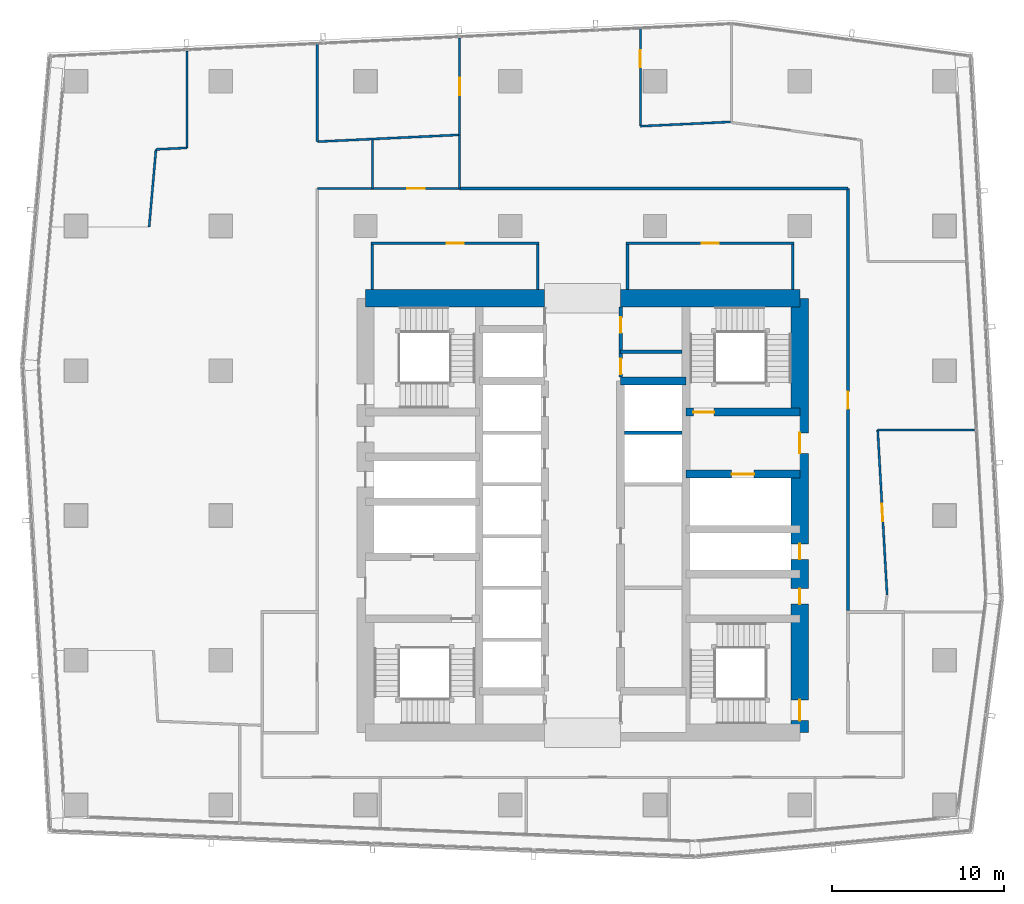
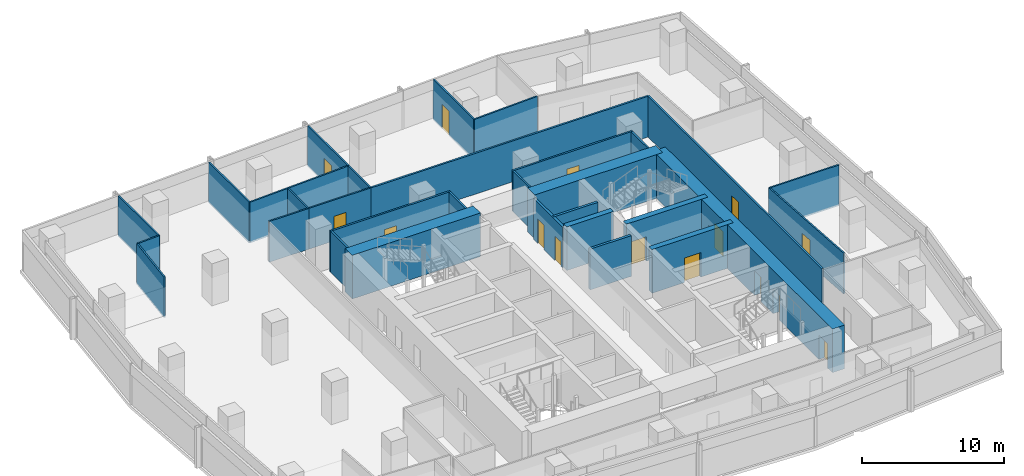
# One storey, part 29 of 40: 31 walls, 15 doors, 15 openings.
"""IFC4 building model written with IfcOpenShell, lengths in metres."""

from ifc_helpers import new_model, si_unit, direction, frame, frame_2d, origin, place, context, subcontext, project, spatial, rectangle, extrude, material, layer, layer_set, type_object, element, fill, save


model = new_model("IFC4")

# Units and contexts
model_context = context("Model", 3, precision=1e-05, world=origin(), true_north=direction((0.0, 1.0)))
body_context = subcontext(model_context, "Body", "Model", "MODEL_VIEW")
ifc_project = project(units=[si_unit("LENGTHUNIT", "METRE"), si_unit("AREAUNIT", "SQUARE_METRE"), si_unit("VOLUMEUNIT", "CUBIC_METRE"), si_unit("PLANEANGLEUNIT", "RADIAN"), si_unit("MASSUNIT", "GRAM", prefix="KILO")], contexts=[model_context])

# Site, building, storey
site_placement = place(None, origin())
site = spatial("IfcSite", under=ifc_project, at=site_placement, CompositionType="ELEMENT")
building_placement = place(site_placement, origin())
building = spatial("IfcBuilding", under=site, at=building_placement, Name="Rekha Terrace Tower", CompositionType="ELEMENT")
storey_placement = place(building_placement, frame((0.0, 0.0, 210.199951171875)))
storey = spatial("IfcBuildingStorey", under=building, at=storey_placement, Name="L53", CompositionType="ELEMENT", Elevation=210.199951171875)

# Wall
ifc_material_1 = material(Name="Concrete M60", Category="concrete")
ifc_layer_1 = layer(ifc_material_1, 0.449951171875)
ifc_layer_set_1 = layer_set([ifc_layer_1], Name="Concrete M60")
wall_type_1 = type_object("IfcWallType", Name="CI3 450 core internal shear wall", PredefinedType="SHEAR", material=ifc_layer_set_1)
wall_1_placement = place(storey_placement, frame((40.0, 41.39990234375, 0.0), z_axis=(0.0, 0.0, 1.0), x_axis=(1.0, 0.0, 0.0)))
element("IfcWall", 1, at=wall_1_placement, inside=storey, type_object=wall_type_1, Name="Core wall Y414E L53", PredefinedType="SHEAR", context=body_context, shape_type="SweptSolid", body=[
    extrude(rectangle(XDim=3.800048828125, YDim=0.449951171875, at=frame_2d((1.89990234375, 0.0))), origin(), (0.0, 0.0, 1.0), 3.75),
])

# Wall, opening, door
wall_2_placement = place(storey_placement, frame((43.800048828125, 36.0, 0.0), z_axis=(0.0, 0.0, 1.0), x_axis=(1.0, 0.0, 0.0)))
wall_2 = element("IfcWall", 2, at=wall_2_placement, inside=storey, type_object=wall_type_1, Name="Core wall Y360E L53", PredefinedType="SHEAR", context=body_context, shape_type="SweptSolid", body=[
    extrude(rectangle(XDim=6.599853515625, YDim=0.449951171875, at=frame_2d((3.2998046875, 0.0))), origin(), (0.0, 0.0, 1.0), 3.75),
])
opening_1_placement = place(wall_2_placement, frame((2.64990234375, 0.0, 0.0)))
opening_1 = element("IfcOpeningElement", 3, at=opening_1_placement, cuts=wall_2, Name="Opening LD2", PredefinedType="OPENING", context=body_context, shape_type="SweptSolid", body=[
    extrude(rectangle(XDim=1.300048828125, YDim=2.10009765625, at=frame_2d((0.64990234375, 1.050048828125))), frame((0.0, 0.23486328125, 0.0), z_axis=(0.0, -1.0, 0.0), x_axis=(1.0, 0.0, 0.0)), (0.0, 0.0, 1.0), 0.469970703125),
])
ifc_material_2 = material(Name="Stainless steel sliding landing door", Category="steel")
door_type_1 = type_object("IfcDoorType", Name="LD2 1300x2100 fire lift landing door", OperationType="SLIDING_TO_LEFT", PredefinedType="USERDEFINED", material=ifc_material_2)
door_1_placement = place(opening_1_placement, origin())
door_1 = element("IfcDoor", 4, at=door_1_placement, inside=storey, type_object=door_type_1, Name="Lift FL2 landing door L53", ObjectType="LIFT LANDING DOOR", OperationType="SLIDING_TO_LEFT", OverallHeight=2.10009765625, OverallWidth=1.300048828125, PredefinedType="USERDEFINED", context=body_context, shape_type="SweptSolid", body=[
    extrude(rectangle(XDim=1.300048828125, YDim=2.10009765625, at=frame_2d((0.64990234375, 1.050048828125))), frame((0.0, 0.02490234375, 0.0), z_axis=(0.0, -1.0, 0.0), x_axis=(1.0, 0.0, 0.0)), (0.0, 0.0, 1.0), 0.050048828125),
])
fill(opening_1, door_1)

wall_3_placement = place(storey_placement, frame((43.800048828125, 39.60009765625, 0.0), z_axis=(0.0, 0.0, 1.0), x_axis=(1.0, 0.0, 0.0)))
wall_3 = element("IfcWall", 5, at=wall_3_placement, inside=storey, type_object=wall_type_1, Name="Core wall Y396E L53", PredefinedType="SHEAR", context=body_context, shape_type="SweptSolid", body=[
    extrude(rectangle(XDim=6.599853515625, YDim=0.449951171875, at=frame_2d((3.2998046875, 0.0))), origin(), (0.0, 0.0, 1.0), 3.75),
])
opening_2_placement = place(wall_3_placement, frame((0.425048828125, 0.0, 0.0)))
opening_2 = element("IfcOpeningElement", 6, at=opening_2_placement, cuts=wall_3, Name="Opening D1", PredefinedType="OPENING", context=body_context, shape_type="SweptSolid", body=[
    extrude(rectangle(XDim=1.199951171875, YDim=2.10009765625, at=frame_2d((0.60009765625, 1.050048828125))), frame((0.0, 0.23486328125, 0.0), z_axis=(0.0, -1.0, 0.0), x_axis=(1.0, 0.0, 0.0)), (0.0, 0.0, 1.0), 0.469970703125),
])
ifc_material_3 = material(Name="Steel fire door", Category="steel")
door_type_2 = type_object("IfcDoorType", Name="D1 1200x2100 stair fire door", OperationType="SINGLE_SWING_RIGHT", PredefinedType="DOOR", material=ifc_material_3)
door_2_placement = place(opening_2_placement, origin())
door_2 = element("IfcDoor", 7, at=door_2_placement, inside=storey, type_object=door_type_2, Name="Stair ST2 door L53", OperationType="SINGLE_SWING_RIGHT", OverallHeight=2.10009765625, OverallWidth=1.199951171875, PredefinedType="DOOR", context=body_context, shape_type="SweptSolid", body=[
    extrude(rectangle(XDim=1.199951171875, YDim=2.10009765625, at=frame_2d((0.60009765625, 1.050048828125))), frame((0.0, 0.02490234375, 0.0), z_axis=(0.0, -1.0, 0.0), x_axis=(1.0, 0.0, 0.0)), (0.0, 0.0, 1.0), 0.050048828125),
])
fill(opening_2, door_2)

# Walls
ifc_layer_2 = layer(ifc_material_1, 1.0)
ifc_layer_set_2 = layer_set([ifc_layer_2], Name="Concrete M60")
wall_type_2 = type_object("IfcWallType", Name="SW3 1000 core outer shear wall", PredefinedType="SHEAR", material=ifc_layer_set_2)
wall_4_placement = place(storey_placement, frame((25.199951171875, 46.199951171875, 0.0), z_axis=(0.0, 0.0, 1.0), x_axis=(1.0, 0.0, 0.0)))
element("IfcWall", 8, at=wall_4_placement, inside=storey, type_object=wall_type_2, Name="Core wall N1 L53", PredefinedType="SHEAR", context=body_context, shape_type="SweptSolid", body=[
    extrude(rectangle(XDim=10.400146484375, YDim=1.0, at=frame_2d((5.2001953125, 0.0))), origin(), (0.0, 0.0, 1.0), 3.75),
])
wall_5_placement = place(storey_placement, frame((40.0, 46.199951171875, 0.0), z_axis=(0.0, 0.0, 1.0), x_axis=(1.0, 0.0, 0.0)))
element("IfcWall", 9, at=wall_5_placement, inside=storey, type_object=wall_type_2, Name="Core wall N2 L53", PredefinedType="SHEAR", context=body_context, shape_type="SweptSolid", body=[
    extrude(rectangle(XDim=10.39990234375, YDim=1.0, at=frame_2d((5.199951171875, 0.0))), origin(), (0.0, 0.0, 1.0), 3.75),
])

# Wall, openings, doors
wall_6_placement = place(storey_placement, frame((50.39990234375, 21.0, 0.0), z_axis=(0.0, 0.0, 1.0), x_axis=(0.0, 1.0, 0.0)))
wall_6 = element("IfcWall", 10, at=wall_6_placement, inside=storey, type_object=wall_type_2, Name="Core wall E L53", PredefinedType="SHEAR", context=body_context, shape_type="SweptSolid", body=[
    extrude(rectangle(XDim=25.199951171875, YDim=1.0, at=frame_2d((12.60009765625, 0.0))), origin(), (0.0, 0.0, 1.0), 3.75),
])
opening_3_placement = place(wall_6_placement, frame((16.199951171875, 0.0, 0.0)))
opening_3 = element("IfcOpeningElement", 11, at=opening_3_placement, cuts=wall_6, Name="Opening D2", PredefinedType="OPENING", context=body_context, shape_type="SweptSolid", body=[
    extrude(rectangle(XDim=1.199951171875, YDim=2.10009765625, at=frame_2d((0.60009765625, 1.050048828125))), frame((0.0, 0.510009765625, 0.0), z_axis=(0.0, -1.0, 0.0), x_axis=(1.0, 0.0, 0.0)), (0.0, 0.0, 1.0), 1.02001953125),
])
opening_4_placement = place(wall_6_placement, frame((10.050048828125, 0.0, 0.0)))
opening_4 = element("IfcOpeningElement", 12, at=opening_4_placement, cuts=wall_6, Name="Opening D5", PredefinedType="OPENING", context=body_context, shape_type="SweptSolid", body=[
    extrude(rectangle(XDim=0.89990234375, YDim=2.10009765625, at=frame_2d((0.449951171875, 1.050048828125))), frame((0.0, 0.510009765625, 0.0), z_axis=(0.0, -1.0, 0.0), x_axis=(1.0, 0.0, 0.0)), (0.0, 0.0, 1.0), 1.02001953125),
])
opening_5_placement = place(wall_6_placement, frame((7.449951171875, 0.0, 0.0)))
opening_5 = element("IfcOpeningElement", 13, at=opening_5_placement, cuts=wall_6, Name="Opening D5", PredefinedType="OPENING", context=body_context, shape_type="SweptSolid", body=[
    extrude(rectangle(XDim=0.89990234375, YDim=2.10009765625, at=frame_2d((0.449951171875, 1.050048828125))), frame((0.0, 0.510009765625, 0.0), z_axis=(0.0, -1.0, 0.0), x_axis=(1.0, 0.0, 0.0)), (0.0, 0.0, 1.0), 1.02001953125),
])
opening_6_placement = place(wall_6_placement, frame((0.699951171875, 0.0, 0.0)))
opening_6 = element("IfcOpeningElement", 14, at=opening_6_placement, cuts=wall_6, Name="Opening D1", PredefinedType="OPENING", context=body_context, shape_type="SweptSolid", body=[
    extrude(rectangle(XDim=1.199951171875, YDim=2.10009765625, at=frame_2d((0.60009765625, 1.050048828125))), frame((0.0, 0.510009765625, 0.0), z_axis=(0.0, -1.0, 0.0), x_axis=(1.0, 0.0, 0.0)), (0.0, 0.0, 1.0), 1.02001953125),
])
door_3_placement = place(opening_6_placement, origin())
door_3 = element("IfcDoor", 15, at=door_3_placement, inside=storey, type_object=door_type_2, Name="Stair ST3 door L53", OperationType="SINGLE_SWING_RIGHT", OverallHeight=2.10009765625, OverallWidth=1.199951171875, PredefinedType="DOOR", context=body_context, shape_type="SweptSolid", body=[
    extrude(rectangle(XDim=1.199951171875, YDim=2.10009765625, at=frame_2d((0.60009765625, 1.050048828125))), frame((0.0, 0.02490234375, 0.0), z_axis=(0.0, -1.0, 0.0), x_axis=(1.0, 0.0, 0.0)), (0.0, 0.0, 1.0), 0.050048828125),
])
fill(opening_6, door_3)
door_type_3 = type_object("IfcDoorType", Name="D2 1200x2100 firefighting lobby door", OperationType="SINGLE_SWING_LEFT", PredefinedType="DOOR", material=ifc_material_3)
door_4_placement = place(opening_3_placement, origin())
door_4 = element("IfcDoor", 16, at=door_4_placement, inside=storey, type_object=door_type_3, Name="Door flb2 L53", OperationType="SINGLE_SWING_LEFT", OverallHeight=2.10009765625, OverallWidth=1.199951171875, PredefinedType="DOOR", context=body_context, shape_type="SweptSolid", body=[
    extrude(rectangle(XDim=1.199951171875, YDim=2.10009765625, at=frame_2d((0.60009765625, 1.050048828125))), frame((0.0, 0.02490234375, 0.0), z_axis=(0.0, -1.0, 0.0), x_axis=(1.0, 0.0, 0.0)), (0.0, 0.0, 1.0), 0.050048828125),
])
fill(opening_3, door_4)
door_type_4 = type_object("IfcDoorType", Name="D5 900x2100 riser access door", OperationType="SINGLE_SWING_LEFT", PredefinedType="DOOR", material=ifc_material_3)
door_5_placement = place(opening_4_placement, origin())
door_5 = element("IfcDoor", 17, at=door_5_placement, inside=storey, type_object=door_type_4, Name="Door rs2 L53", OperationType="SINGLE_SWING_LEFT", OverallHeight=2.10009765625, OverallWidth=0.89990234375, PredefinedType="DOOR", context=body_context, shape_type="SweptSolid", body=[
    extrude(rectangle(XDim=0.89990234375, YDim=2.10009765625, at=frame_2d((0.449951171875, 1.050048828125))), frame((0.0, 0.02490234375, 0.0), z_axis=(0.0, -1.0, 0.0), x_axis=(1.0, 0.0, 0.0)), (0.0, 0.0, 1.0), 0.050048828125),
])
fill(opening_4, door_5)
door_6_placement = place(opening_5_placement, origin())
door_6 = element("IfcDoor", 18, at=door_6_placement, inside=storey, type_object=door_type_4, Name="Door ele L53", OperationType="SINGLE_SWING_LEFT", OverallHeight=2.10009765625, OverallWidth=0.89990234375, PredefinedType="DOOR", context=body_context, shape_type="SweptSolid", body=[
    extrude(rectangle(XDim=0.89990234375, YDim=2.10009765625, at=frame_2d((0.449951171875, 1.050048828125))), frame((0.0, 0.02490234375, 0.0), z_axis=(0.0, -1.0, 0.0), x_axis=(1.0, 0.0, 0.0)), (0.0, 0.0, 1.0), 0.050048828125),
])
fill(opening_5, door_6)

# Wall, opening, door
ifc_material_4 = material(Name="Concrete block masonry, 1 hour", Category="masonry")
ifc_layer_3 = layer(ifc_material_4, 0.14990234375)
ifc_layer_set_3 = layer_set([ifc_layer_3], Name="Concrete block masonry, 1 hour")
wall_type_3 = type_object("IfcWallType", Name="WP2 150 tenancy partition", PredefinedType="PARTITIONING", material=ifc_layer_set_3)
wall_7_placement = place(storey_placement, frame((40.324951171875, 49.39990234375, 0.0), z_axis=(0.0, 0.0, 1.0), x_axis=(1.0, 0.0, 0.0)))
wall_7 = element("IfcWall", 19, at=wall_7_placement, inside=storey, type_object=wall_type_3, Name="Women's WC wall L53", PredefinedType="PARTITIONING", context=body_context, shape_type="SweptSolid", body=[
    extrude(rectangle(XDim=9.75, YDim=0.14990234375, at=frame_2d((4.875, 0.0))), origin(), (0.0, 0.0, 1.0), 3.5),
])
opening_7_placement = place(wall_7_placement, frame((4.375, 0.0, 0.0)))
opening_7 = element("IfcOpeningElement", 20, at=opening_7_placement, cuts=wall_7, Name="Opening D3", PredefinedType="OPENING", context=body_context, shape_type="SweptSolid", body=[
    extrude(rectangle(XDim=1.0, YDim=2.10009765625, at=frame_2d((0.5, 1.050048828125))), frame((0.0, 0.0849609375, 0.0), z_axis=(0.0, -1.0, 0.0), x_axis=(1.0, 0.0, 0.0)), (0.0, 0.0, 1.0), 0.169921875),
])
ifc_material_5 = material(Name="Laminated timber fire door", Category="wood")
door_type_5 = type_object("IfcDoorType", Name="D3 1000x2100 WC door", OperationType="SINGLE_SWING_LEFT", PredefinedType="DOOR", material=ifc_material_5)
door_7_placement = place(opening_7_placement, origin())
door_7 = element("IfcDoor", 21, at=door_7_placement, inside=storey, type_object=door_type_5, Name="Door women's wc L53", OperationType="SINGLE_SWING_LEFT", OverallHeight=2.10009765625, OverallWidth=1.0, PredefinedType="DOOR", context=body_context, shape_type="SweptSolid", body=[
    extrude(rectangle(XDim=1.0, YDim=2.10009765625, at=frame_2d((0.5, 1.050048828125))), frame((0.0, 0.02490234375, 0.0), z_axis=(0.0, -1.0, 0.0), x_axis=(1.0, 0.0, 0.0)), (0.0, 0.0, 1.0), 0.050048828125),
])
fill(opening_7, door_7)

# Walls
for number, where, z_axis, x_axis, name in (
    (22, (40.39990234375, 46.699951171875, 0.0), (0.0, 0.0, 1.0), (0.0, 1.0, 0.0), "Women's WC wall L53"),
    (23, (50.0, 46.699951171875, 0.0), (0.0, 0.0, 1.0), (0.0, 1.0, 0.0), "Women's WC wall L53"),
):
    element("IfcWall", number, at=place(storey_placement, frame(where, z_axis=z_axis, x_axis=x_axis)), inside=storey, type_object=wall_type_3, Name=name, PredefinedType="PARTITIONING", context=body_context, shape_type="SweptSolid", body=[
        extrude(rectangle(XDim=2.625, YDim=0.14990234375, at=frame_2d((1.3125, 0.0))), origin(), (0.0, 0.0, 1.0), 3.5),
    ])

# Wall, opening, door
wall_8_placement = place(storey_placement, frame((25.52490234375, 49.39990234375, 0.0), z_axis=(0.0, 0.0, 1.0), x_axis=(1.0, 0.0, 0.0)))
wall_8 = element("IfcWall", 24, at=wall_8_placement, inside=storey, type_object=wall_type_3, Name="Women's WC wall L53", PredefinedType="PARTITIONING", context=body_context, shape_type="SweptSolid", body=[
    extrude(rectangle(XDim=9.75, YDim=0.14990234375, at=frame_2d((4.875, 0.0))), origin(), (0.0, 0.0, 1.0), 3.5),
])
opening_8_placement = place(wall_8_placement, frame((4.375, 0.0, 0.0)))
opening_8 = element("IfcOpeningElement", 25, at=opening_8_placement, cuts=wall_8, Name="Opening D3", PredefinedType="OPENING", context=body_context, shape_type="SweptSolid", body=[
    extrude(rectangle(XDim=1.0, YDim=2.10009765625, at=frame_2d((0.5, 1.050048828125))), frame((0.0, 0.0849609375, 0.0), z_axis=(0.0, -1.0, 0.0), x_axis=(1.0, 0.0, 0.0)), (0.0, 0.0, 1.0), 0.169921875),
])
door_8_placement = place(opening_8_placement, origin())
door_8 = element("IfcDoor", 26, at=door_8_placement, inside=storey, type_object=door_type_5, Name="Door women's wc L53", OperationType="SINGLE_SWING_LEFT", OverallHeight=2.10009765625, OverallWidth=1.0, PredefinedType="DOOR", context=body_context, shape_type="SweptSolid", body=[
    extrude(rectangle(XDim=1.0, YDim=2.10009765625, at=frame_2d((0.5, 1.050048828125))), frame((0.0, 0.02490234375, 0.0), z_axis=(0.0, -1.0, 0.0), x_axis=(1.0, 0.0, 0.0)), (0.0, 0.0, 1.0), 0.050048828125),
])
fill(opening_8, door_8)

# Walls
for number, where, z_axis, x_axis, name in (
    (27, (25.60009765625, 46.699951171875, 0.0), (0.0, 0.0, 1.0), (0.0, 1.0, 0.0), "Women's WC wall L53"),
    (28, (35.199951171875, 46.699951171875, 0.0), (0.0, 0.0, 1.0), (0.0, 1.0, 0.0), "Women's WC wall L53"),
):
    element("IfcWall", number, at=place(storey_placement, frame(where, z_axis=z_axis, x_axis=x_axis)), inside=storey, type_object=wall_type_3, Name=name, PredefinedType="PARTITIONING", context=body_context, shape_type="SweptSolid", body=[
        extrude(rectangle(XDim=2.625, YDim=0.14990234375, at=frame_2d((1.3125, 0.0))), origin(), (0.0, 0.0, 1.0), 3.5),
    ])

# Wall, opening, door
wall_9_placement = place(storey_placement, frame((53.199951171875, 28.074951171875, 0.0), z_axis=(0.0, 0.0, 1.0), x_axis=(0.0, 1.0, 0.0)))
wall_9 = element("IfcWall", 29, at=wall_9_placement, inside=storey, type_object=wall_type_3, Name="Partition L53-O1", PredefinedType="PARTITIONING", context=body_context, shape_type="SweptSolid", body=[
    extrude(rectangle(XDim=24.5, YDim=0.14990234375, at=frame_2d((12.25, 0.0))), origin(), (0.0, 0.0, 1.0), 3.5),
])
opening_9_placement = place(wall_9_placement, frame((11.712890625, 0.0, 0.0)))
opening_9 = element("IfcOpeningElement", 30, at=opening_9_placement, cuts=wall_9, Name="Opening D9", PredefinedType="OPENING", context=body_context, shape_type="SweptSolid", body=[
    extrude(rectangle(XDim=1.0, YDim=2.10009765625, at=frame_2d((0.5, 1.050048828125))), frame((0.0, 0.0849609375, 0.0), z_axis=(0.0, -1.0, 0.0), x_axis=(1.0, 0.0, 0.0)), (0.0, 0.0, 1.0), 0.169921875),
])
ifc_material_6 = material(Name="Timber fire door", Category="wood")
door_type_6 = type_object("IfcDoorType", Name="D9 1000x2100 office door", OperationType="SINGLE_SWING_LEFT", PredefinedType="DOOR", material=ifc_material_6)
door_9_placement = place(opening_9_placement, origin())
door_9 = element("IfcDoor", 31, at=door_9_placement, inside=storey, type_object=door_type_6, Name="Door open-plan office L53", OperationType="SINGLE_SWING_LEFT", OverallHeight=2.10009765625, OverallWidth=1.0, PredefinedType="DOOR", context=body_context, shape_type="SweptSolid", body=[
    extrude(rectangle(XDim=1.0, YDim=2.10009765625, at=frame_2d((0.5, 1.050048828125))), frame((0.0, 0.02490234375, 0.0), z_axis=(0.0, -1.0, 0.0), x_axis=(1.0, 0.0, 0.0)), (0.0, 0.0, 1.0), 0.050048828125),
])
fill(opening_9, door_9)

# Wall
wall_10_placement = place(storey_placement, frame((53.199951171875, 52.574951171875, 0.0), z_axis=(0.0, 0.0, 1.0), x_axis=(-1.0, 0.0, 0.0)))
element("IfcWall", 32, at=wall_10_placement, inside=storey, type_object=wall_type_3, Name="Partition L53-O1", PredefinedType="PARTITIONING", context=body_context, shape_type="SweptSolid", body=[
    extrude(rectangle(XDim=22.5390625, YDim=0.14990234375, at=frame_2d((11.26953125, 0.0))), origin(), (0.0, 0.0, 1.0), 3.5),
])

# Wall, opening, door
ifc_material_7 = material(Name="Two layers of fire-rated gypsum board each side on steel studs, acoustic quilt, 1 hour", Category="steel")
ifc_layer_4 = layer(ifc_material_7, 0.125)
ifc_layer_set_4 = layer_set([ifc_layer_4], Name="Two layers of fire-rated gypsum board each side on steel studs, acoustic quilt, 1 hour")
wall_type_4 = type_object("IfcWallType", Name="WP3 125 office partition", PredefinedType="PARTITIONING", material=ifc_layer_set_4)
wall_11_placement = place(storey_placement, frame((55.465087890625, 28.9951171875, 0.0), z_axis=(0.0, 0.0, 1.0), x_axis=(-0.056705607074, 0.99839094253, 0.0)))
wall_11 = element("IfcWall", 33, at=wall_11_placement, inside=storey, type_object=wall_type_4, Name="Partition L53-05", PredefinedType="PARTITIONING", context=body_context, shape_type="SweptSolid", body=[
    extrude(rectangle(XDim=9.5751953125, YDim=0.125, at=frame_2d((4.78759765625, 0.0))), origin(), (0.0, 0.0, 1.0), 3.5),
])
opening_10_placement = place(wall_11_placement, frame((4.2880859375, 0.0, 0.0)))
opening_10 = element("IfcOpeningElement", 34, at=opening_10_placement, cuts=wall_11, Name="Opening D9", PredefinedType="OPENING", context=body_context, shape_type="SweptSolid", body=[
    extrude(rectangle(XDim=1.0, YDim=2.10009765625, at=frame_2d((0.5, 1.050048828125))), frame((0.0, 0.072509765625, 0.0), z_axis=(0.0, -1.0, 0.0), x_axis=(1.0, 0.0, 0.0)), (0.0, 0.0, 1.0), 0.14501953125),
])
door_10_placement = place(opening_10_placement, origin())
door_10 = element("IfcDoor", 35, at=door_10_placement, inside=storey, type_object=door_type_6, Name="Door office L53", OperationType="SINGLE_SWING_LEFT", OverallHeight=2.10009765625, OverallWidth=1.0, PredefinedType="DOOR", context=body_context, shape_type="SweptSolid", body=[
    extrude(rectangle(XDim=1.0, YDim=2.10009765625, at=frame_2d((0.5, 1.050048828125))), frame((0.0, 0.02490234375, 0.0), z_axis=(0.0, -1.0, 0.0), x_axis=(1.0, 0.0, 0.0)), (0.0, 0.0, 1.0), 0.050048828125),
])
fill(opening_10, door_10)

# Wall
wall_12_placement = place(storey_placement, frame((54.922119140625, 38.554931640625, 0.0), z_axis=(0.0, 0.0, 1.0), x_axis=(1.0, 0.0, 0.0)))
element("IfcWall", 36, at=wall_12_placement, inside=storey, type_object=wall_type_4, Name="Partition L53-05", PredefinedType="PARTITIONING", context=body_context, shape_type="SweptSolid", body=[
    extrude(rectangle(XDim=5.62890625, YDim=0.125, at=frame_2d((2.814453125, 0.0))), origin(), (0.0, 0.0, 1.0), 3.5),
])

# Wall, opening, door
wall_13_placement = place(storey_placement, frame((41.152099609375, 56.18798828125, 0.0), z_axis=(0.0, 0.0, 1.0), x_axis=(0.0, 1.0, 0.0)))
wall_13 = element("IfcWall", 37, at=wall_13_placement, inside=storey, type_object=wall_type_4, Name="Partition L53-07", PredefinedType="PARTITIONING", context=body_context, shape_type="SweptSolid", body=[
    extrude(rectangle(XDim=5.656982421875, YDim=0.125, at=frame_2d((2.82861328125, 0.0))), origin(), (0.0, 0.0, 1.0), 3.5),
])
opening_11_placement = place(wall_13_placement, frame((3.4130859375, 0.0, 0.0)))
opening_11 = element("IfcOpeningElement", 38, at=opening_11_placement, cuts=wall_13, Name="Opening D9", PredefinedType="OPENING", context=body_context, shape_type="SweptSolid", body=[
    extrude(rectangle(XDim=1.0, YDim=2.10009765625, at=frame_2d((0.5, 1.050048828125))), frame((0.0, 0.072509765625, 0.0), z_axis=(0.0, -1.0, 0.0), x_axis=(1.0, 0.0, 0.0)), (0.0, 0.0, 1.0), 0.14501953125),
])
door_11_placement = place(opening_11_placement, origin())
door_11 = element("IfcDoor", 39, at=door_11_placement, inside=storey, type_object=door_type_6, Name="Door office L53", OperationType="SINGLE_SWING_LEFT", OverallHeight=2.10009765625, OverallWidth=1.0, PredefinedType="DOOR", context=body_context, shape_type="SweptSolid", body=[
    extrude(rectangle(XDim=1.0, YDim=2.10009765625, at=frame_2d((0.5, 1.050048828125))), frame((0.0, 0.02490234375, 0.0), z_axis=(0.0, -1.0, 0.0), x_axis=(1.0, 0.0, 0.0)), (0.0, 0.0, 1.0), 0.050048828125),
])
fill(opening_11, door_11)

# Wall
wall_14_placement = place(storey_placement, frame((46.383056640625, 56.43798828125, 0.0), z_axis=(0.0, 0.0, 1.0), x_axis=(-0.998859895891, -0.047737913441, 0.0)))
element("IfcWall", 40, at=wall_14_placement, inside=storey, type_object=wall_type_4, Name="Partition L53-07", PredefinedType="PARTITIONING", context=body_context, shape_type="SweptSolid", body=[
    extrude(rectangle(XDim=5.23681640625, YDim=0.125, at=frame_2d((2.618408203125, 0.0))), origin(), (0.0, 0.0, 1.0), 3.5),
])

# Wall, opening, door
wall_15_placement = place(storey_placement, frame((30.660888671875, 61.31298828125, 0.0), z_axis=(0.0, 0.0, 1.0), x_axis=(0.0, -1.0, 0.0)))
wall_15 = element("IfcWall", 41, at=wall_15_placement, inside=storey, type_object=wall_type_4, Name="Partition L53-08", PredefinedType="PARTITIONING", context=body_context, shape_type="SweptSolid", body=[
    extrude(rectangle(XDim=5.626953125, YDim=0.125, at=frame_2d((2.8134765625, 0.0))), origin(), (0.0, 0.0, 1.0), 3.5),
])
opening_12_placement = place(wall_15_placement, frame((2.31396484375, 0.0, 0.0)))
opening_12 = element("IfcOpeningElement", 42, at=opening_12_placement, cuts=wall_15, Name="Opening D9", PredefinedType="OPENING", context=body_context, shape_type="SweptSolid", body=[
    extrude(rectangle(XDim=1.0, YDim=2.10009765625, at=frame_2d((0.5, 1.050048828125))), frame((0.0, 0.072509765625, 0.0), z_axis=(0.0, -1.0, 0.0), x_axis=(1.0, 0.0, 0.0)), (0.0, 0.0, 1.0), 0.14501953125),
])
door_12_placement = place(opening_12_placement, origin())
door_12 = element("IfcDoor", 43, at=door_12_placement, inside=storey, type_object=door_type_6, Name="Door office L53", OperationType="SINGLE_SWING_LEFT", OverallHeight=2.10009765625, OverallWidth=1.0, PredefinedType="DOOR", context=body_context, shape_type="SweptSolid", body=[
    extrude(rectangle(XDim=1.0, YDim=2.10009765625, at=frame_2d((0.5, 1.050048828125))), frame((0.0, 0.02490234375, 0.0), z_axis=(0.0, -1.0, 0.0), x_axis=(1.0, 0.0, 0.0)), (0.0, 0.0, 1.0), 0.050048828125),
])
fill(opening_12, door_12)

# Walls
wall_16_placement = place(storey_placement, frame((30.660888671875, 55.68603515625, 0.0), z_axis=(0.0, 0.0, 1.0), x_axis=(-0.998858431805, -0.047768537897, 0.0)))
element("IfcWall", 44, at=wall_16_placement, inside=storey, type_object=wall_type_4, Name="Partition L53-08", PredefinedType="PARTITIONING", context=body_context, shape_type="SweptSolid", body=[
    extrude(rectangle(XDim=8.26953125, YDim=0.125, at=frame_2d((4.134765625, 0.0))), origin(), (0.0, 0.0, 1.0), 3.5),
])
wall_17_placement = place(storey_placement, frame((22.40087890625, 55.291015625, 0.0), z_axis=(0.0, 0.0, 1.0), x_axis=(0.0, 1.0, 0.0)))
element("IfcWall", 45, at=wall_17_placement, inside=storey, type_object=wall_type_4, Name="Partition L53-08", PredefinedType="PARTITIONING", context=body_context, shape_type="SweptSolid", body=[
    extrude(rectangle(XDim=5.656982421875, YDim=0.125, at=frame_2d((2.82861328125, 0.0))), origin(), (0.0, 0.0, 1.0), 3.5),
])
wall_18_placement = place(storey_placement, frame((14.842041015625, 60.556884765625, 0.0), z_axis=(0.0, 0.0, 1.0), x_axis=(0.0, -1.0, 0.0)))
element("IfcWall", 46, at=wall_18_placement, inside=storey, type_object=wall_type_4, Name="Partition L53-09", PredefinedType="PARTITIONING", context=body_context, shape_type="SweptSolid", body=[
    extrude(rectangle(XDim=5.626953125, YDim=0.125, at=frame_2d((2.8134765625, 0.0))), origin(), (0.0, 0.0, 1.0), 3.5),
])
wall_19_placement = place(storey_placement, frame((14.842041015625, 54.929931640625, 0.0), z_axis=(0.0, 0.0, 1.0), x_axis=(-0.998863537959, -0.047661646382, 0.0)))
element("IfcWall", 47, at=wall_19_placement, inside=storey, type_object=wall_type_4, Name="Partition L53-09", PredefinedType="PARTITIONING", context=body_context, shape_type="SweptSolid", body=[
    extrude(rectangle(XDim=1.802978515625, YDim=0.125, at=frame_2d((0.9013671875, 0.0))), origin(), (0.0, 0.0, 1.0), 3.5),
])
wall_20_placement = place(storey_placement, frame((13.041015625, 54.843994140625, 0.0), z_axis=(0.0, 0.0, 1.0), x_axis=(-0.087857629893, -0.996133041752, 0.0)))
element("IfcWall", 48, at=wall_20_placement, inside=storey, type_object=wall_type_4, Name="Partition L53-09", PredefinedType="PARTITIONING", context=body_context, shape_type="SweptSolid", body=[
    extrude(rectangle(XDim=4.529541015625, YDim=0.125, at=frame_2d((2.2646484375, 0.0))), origin(), (0.0, 0.0, 1.0), 3.5),
])
wall_21_placement = place(storey_placement, frame((25.60009765625, 52.574951171875, 0.0), z_axis=(0.0, 0.0, 1.0), x_axis=(-1.0, 0.0, 0.0)))
element("IfcWall", 49, at=wall_21_placement, inside=storey, type_object=wall_type_4, Name="Partition L53-15", PredefinedType="PARTITIONING", context=body_context, shape_type="SweptSolid", body=[
    extrude(rectangle(XDim=3.2001953125, YDim=0.125, at=frame_2d((1.60009765625, 0.0))), origin(), (0.0, 0.0, 1.0), 3.5),
])
wall_22_placement = place(storey_placement, frame((25.60009765625, 55.381103515625, 0.0), z_axis=(0.0, 0.0, 1.0), x_axis=(0.0, -1.0, 0.0)))
element("IfcWall", 50, at=wall_22_placement, inside=storey, type_object=wall_type_4, Name="Partition L53-15", PredefinedType="PARTITIONING", context=body_context, shape_type="SweptSolid", body=[
    extrude(rectangle(XDim=2.80615234375, YDim=0.125, at=frame_2d((1.403076171875, 0.0))), origin(), (0.0, 0.0, 1.0), 3.5),
])

# Wall, opening, door
wall_23_placement = place(storey_placement, frame((30.660888671875, 52.574951171875, 0.0), z_axis=(0.0, 0.0, 1.0), x_axis=(-1.0, 0.0, 0.0)))
wall_23 = element("IfcWall", 51, at=wall_23_placement, inside=storey, type_object=wall_type_4, Name="Partition L53-16", PredefinedType="PARTITIONING", context=body_context, shape_type="SweptSolid", body=[
    extrude(rectangle(XDim=5.060791015625, YDim=0.125, at=frame_2d((2.5302734375, 0.0))), origin(), (0.0, 0.0, 1.0), 3.5),
])
opening_13_placement = place(wall_23_placement, frame((2.030029296875, 0.0, 0.0)))
opening_13 = element("IfcOpeningElement", 52, at=opening_13_placement, cuts=wall_23, Name="Opening D9", PredefinedType="OPENING", context=body_context, shape_type="SweptSolid", body=[
    extrude(rectangle(XDim=1.0, YDim=2.10009765625, at=frame_2d((0.5, 1.050048828125))), frame((0.0, 0.072509765625, 0.0), z_axis=(0.0, -1.0, 0.0), x_axis=(1.0, 0.0, 0.0)), (0.0, 0.0, 1.0), 0.14501953125),
])
door_13_placement = place(opening_13_placement, origin())
door_13 = element("IfcDoor", 53, at=door_13_placement, inside=storey, type_object=door_type_6, Name="Door meeting room L53", OperationType="SINGLE_SWING_LEFT", OverallHeight=2.10009765625, OverallWidth=1.0, PredefinedType="DOOR", context=body_context, shape_type="SweptSolid", body=[
    extrude(rectangle(XDim=1.0, YDim=2.10009765625, at=frame_2d((0.5, 1.050048828125))), frame((0.0, 0.02490234375, 0.0), z_axis=(0.0, -1.0, 0.0), x_axis=(1.0, 0.0, 0.0)), (0.0, 0.0, 1.0), 0.050048828125),
])
fill(opening_13, door_13)

# Walls
wall_24_placement = place(storey_placement, frame((30.660888671875, 55.68603515625, 0.0), z_axis=(0.0, 0.0, 1.0), x_axis=(0.0, -1.0, 0.0)))
element("IfcWall", 54, at=wall_24_placement, inside=storey, type_object=wall_type_4, Name="Partition L53-16", PredefinedType="PARTITIONING", context=body_context, shape_type="SweptSolid", body=[
    extrude(rectangle(XDim=3.111083984375, YDim=0.125, at=frame_2d((1.5556640625, 0.0))), origin(), (0.0, 0.0, 1.0), 3.5),
])
ifc_material_8 = material(Name="Solid concrete block masonry, 2 hour", Category="masonry")
ifc_layer_5 = layer(ifc_material_8, 0.199951171875)
ifc_layer_set_5 = layer_set([ifc_layer_5], Name="Solid concrete block masonry, 2 hour")
wall_type_5 = type_object("IfcWallType", Name="WS1 200 stair and shaft enclosure", PredefinedType="PARTITIONING", material=ifc_layer_set_5)
wall_25_placement = place(storey_placement, frame((40.22509765625, 38.39990234375, 0.0), z_axis=(0.0, 0.0, 1.0), x_axis=(1.0, 0.0, 0.0)))
element("IfcWall", 55, at=wall_25_placement, inside=storey, type_object=wall_type_5, Name="Lift shaft divider L53", PredefinedType="PARTITIONING", context=body_context, shape_type="SweptSolid", body=[
    extrude(rectangle(XDim=3.349853515625, YDim=0.199951171875, at=frame_2d((1.6748046875, 0.0))), origin(), (0.0, 0.0, 1.0), 3.5),
])

# Wall, openings, doors
wall_26_placement = place(storey_placement, frame((40.0, 41.625, 0.0), z_axis=(0.0, 0.0, 1.0), x_axis=(0.0, 1.0, 0.0)))
wall_26 = element("IfcWall", 56, at=wall_26_placement, inside=storey, type_object=wall_type_5, Name="Core partition elec L53", PredefinedType="PARTITIONING", context=body_context, shape_type="SweptSolid", body=[
    extrude(rectangle(XDim=4.074951171875, YDim=0.199951171875, at=frame_2d((2.03759765625, 0.0))), origin(), (0.0, 0.0, 1.0), 3.5),
])
opening_14_placement = place(wall_26_placement, frame((2.574951171875, 0.0, 0.0)))
opening_14 = element("IfcOpeningElement", 57, at=opening_14_placement, cuts=wall_26, Name="Opening D5", PredefinedType="OPENING", context=body_context, shape_type="SweptSolid", body=[
    extrude(rectangle(XDim=0.89990234375, YDim=2.10009765625, at=frame_2d((0.449951171875, 1.050048828125))), frame((0.0, 0.10986328125, 0.0), z_axis=(0.0, -1.0, 0.0), x_axis=(1.0, 0.0, 0.0)), (0.0, 0.0, 1.0), 0.219970703125),
])
opening_15_placement = place(wall_26_placement, frame((0.175048828125, 0.0, 0.0)))
opening_15 = element("IfcOpeningElement", 58, at=opening_15_placement, cuts=wall_26, Name="Opening D5", PredefinedType="OPENING", context=body_context, shape_type="SweptSolid", body=[
    extrude(rectangle(XDim=0.89990234375, YDim=2.10009765625, at=frame_2d((0.449951171875, 1.050048828125))), frame((0.0, 0.10986328125, 0.0), z_axis=(0.0, -1.0, 0.0), x_axis=(1.0, 0.0, 0.0)), (0.0, 0.0, 1.0), 0.219970703125),
])
door_14_placement = place(opening_14_placement, origin())
door_14 = element("IfcDoor", 59, at=door_14_placement, inside=storey, type_object=door_type_4, Name="Door electrical room L53", OperationType="SINGLE_SWING_LEFT", OverallHeight=2.10009765625, OverallWidth=0.89990234375, PredefinedType="DOOR", context=body_context, shape_type="SweptSolid", body=[
    extrude(rectangle(XDim=0.89990234375, YDim=2.10009765625, at=frame_2d((0.449951171875, 1.050048828125))), frame((0.0, 0.02490234375, 0.0), z_axis=(0.0, -1.0, 0.0), x_axis=(1.0, 0.0, 0.0)), (0.0, 0.0, 1.0), 0.050048828125),
])
fill(opening_14, door_14)
door_15_placement = place(opening_15_placement, origin())
door_15 = element("IfcDoor", 60, at=door_15_placement, inside=storey, type_object=door_type_4, Name="Door mother's room L53", OperationType="SINGLE_SWING_LEFT", OverallHeight=2.10009765625, OverallWidth=0.89990234375, PredefinedType="DOOR", context=body_context, shape_type="SweptSolid", body=[
    extrude(rectangle(XDim=0.89990234375, YDim=2.10009765625, at=frame_2d((0.449951171875, 1.050048828125))), frame((0.0, 0.02490234375, 0.0), z_axis=(0.0, -1.0, 0.0), x_axis=(1.0, 0.0, 0.0)), (0.0, 0.0, 1.0), 0.050048828125),
])
fill(opening_15, door_15)

# Wall
wall_27_placement = place(storey_placement, frame((40.0, 43.10009765625, 0.0), z_axis=(0.0, 0.0, 1.0), x_axis=(1.0, 0.0, 0.0)))
element("IfcWall", 61, at=wall_27_placement, inside=storey, type_object=wall_type_5, Name="Core partition elx L53", PredefinedType="PARTITIONING", context=body_context, shape_type="SweptSolid", body=[
    extrude(rectangle(XDim=3.574951171875, YDim=0.199951171875, at=frame_2d((1.78759765625, 0.0))), origin(), (0.0, 0.0, 1.0), 3.5),
])

save(model, "model.ifc")
